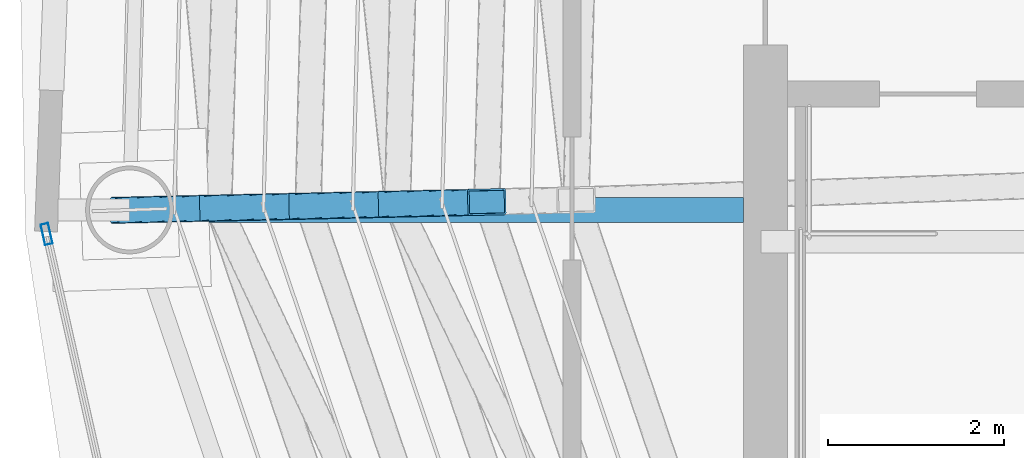
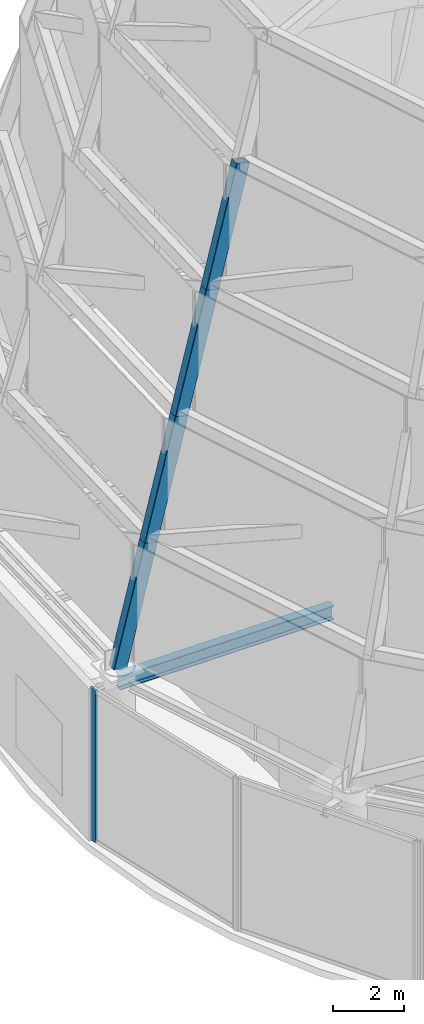
# One storey, part 11 of 40: 5 members, 1 beam, 1 element without a shape of its own.
"""IFC4 building model written with IfcOpenShell, lengths in metres."""

from ifc_helpers import new_model, si_unit, direction, frame, origin, origin_2d, place, context, subcontext, project, spatial, hollow_rectangle, i_section, extrude, material, layer, layer_set, material_profile, profile_set, type_object, element, aggregate, save


model = new_model("IFC4")

# Units and contexts
model_context = context("Model", 3, precision=1e-05, world=origin(), true_north=direction((0.0, 1.0)))
body_context = subcontext(model_context, "Body", "Model", "MODEL_VIEW")
ifc_project = project(units=[si_unit("LENGTHUNIT", "METRE"), si_unit("AREAUNIT", "SQUARE_METRE"), si_unit("VOLUMEUNIT", "CUBIC_METRE"), si_unit("PLANEANGLEUNIT", "RADIAN"), si_unit("MASSUNIT", "GRAM", prefix="KILO")], contexts=[model_context])

# Site, building, storey
site_placement = place(None, origin())
site = spatial("IfcSite", under=ifc_project, at=site_placement, CompositionType="ELEMENT")
building_placement = place(site_placement, origin())
building = spatial("IfcBuilding", under=site, at=building_placement, Name="Bramvorn Convention Spire", CompositionType="ELEMENT")
storey_placement = place(building_placement, frame((0.0, 0.0, 312.5)))
storey = spatial("IfcBuildingStorey", under=building, at=storey_placement, Name="L79", CompositionType="ELEMENT", Elevation=312.5)

# Beam
ifc_material_1 = material(Name="Steel CSA G40.21 Grade 350 (350W)", Category="steel")
ifc_material_profile_1 = material_profile(ifc_material_1, i_section(OverallWidth=0.283935546875, OverallDepth=0.47607421875, WebThickness=0.014892578125, FlangeThickness=0.02392578125, FilletRadius=0.01806640625, at=origin_2d()))
ifc_profile_set_1 = profile_set([ifc_material_profile_1], Name="Steel CSA G40.21 Grade 350 (350W) - W460X158")
beam_type = type_object("IfcBeamType", Name="BM-W460X158", PredefinedType="SPANDREL", material=ifc_profile_set_1)
beam_placement = place(storey_placement, frame((26.75, 25.37060546875, 5.011962890625), z_axis=(-1.0, 0.0, 0.0), x_axis=(0.0, -1.0, 0.0)))
element("IfcBeam", 1, at=beam_placement, inside=storey, type_object=beam_type, Name="L79 radial floor girder MC12", PredefinedType="SPANDREL", context=body_context, shape_type="SweptSolid", body=[
    extrude(i_section(OverallWidth=0.283935546875, OverallDepth=0.47607421875, WebThickness=0.014892578125, FlangeThickness=0.02392578125, FilletRadius=0.01806640625, at=origin_2d()), origin(), (0.0, 0.0, 1.0), 6.984619140625),
])

# Curtain wall, member
ifc_material_2 = material(Name="Anodised Bronze Unitised Curtain Wall", Category="aluminium")
ifc_layer = layer(ifc_material_2, 0.199951171875)
ifc_layer_set = layer_set([ifc_layer], Name="Anodised Bronze Unitised Curtain Wall - CW-CROWN-SPIRE")
curtain_wall_type = type_object("IfcCurtainWallType", Name="CW-CROWN-SPIRE", PredefinedType="USERDEFINED", material=ifc_layer_set)
curtain_wall_placement = place(storey_placement, origin())
curtain_wall = element("IfcCurtainWall", 2, at=curtain_wall_placement, inside=storey, type_object=curtain_wall_type, Name="L79 fritted glass curtain wall 18", ObjectType="UNITISED CURTAIN WALL", PredefinedType="USERDEFINED")
ifc_material_3 = material(Name="Anodised Bronze Aluminium 6063-T6", Category="aluminium")
ifc_material_profile_2 = material_profile(ifc_material_3, hollow_rectangle(XDim=0.090087890625, YDim=0.239990234375, WallThickness=0.00439453125, InnerFilletRadius=0.0009765625, OuterFilletRadius=0.00439453125, at=origin_2d()))
ifc_profile_set_2 = profile_set([ifc_material_profile_2], Name="Anodised Bronze Aluminium 6063-T6 - CWM90X240")
member_type_1 = type_object("IfcMemberType", Name="CW-MUL-220", PredefinedType="MULLION", material=ifc_profile_set_2)
member_placement = place(storey_placement, frame((18.821533203125, 25.096435546875, 0.0), z_axis=(0.0, 0.0, 1.0), x_axis=(-0.975644956553, -0.219355690041, 0.0)))
member = element("IfcMember", 3, at=member_placement, type_object=member_type_1, Name="CW6 mullion 2", PredefinedType="MULLION", context=body_context, shape_type="SweptSolid", body=[
    extrude(hollow_rectangle(XDim=0.090087890625, YDim=0.239990234375, WallThickness=0.00439453125, InnerFilletRadius=0.0009765625, OuterFilletRadius=0.00439453125, at=origin_2d()), origin(), (0.0, 0.0, 1.0), 5.25),
])
aggregate(curtain_wall, [member])

# Members
ifc_material_profile_3 = material_profile(ifc_material_1, hollow_rectangle(XDim=0.300048828125, YDim=0.449951171875, WallThickness=0.02001953125, InnerFilletRadius=0.00390625, OuterFilletRadius=0.02392578125, at=origin_2d()))
ifc_profile_set_3 = profile_set([ifc_material_profile_3], Name="Steel CSA G40.21 Grade 350 (350W) - CROWN450X300X20")
member_type_2 = type_object("IfcMemberType", Name="MBR-CROWN450X300X20", PredefinedType="USERDEFINED", material=ifc_profile_set_3)
for number, where, z_axis, x_axis, name in (
    (4, (19.765380859375, 25.37060546875, 5.5), (0.246260378072, 0.005501372847, 0.969188093761), (-0.022334086566, 0.999750563179, 0.0), "Crown spire CROWN FRAME rib T1-12"),
    (5, (20.78173828125, 25.393310546875, 9.5), (0.246316023751, 0.005442140775, 0.969174287498), (-0.022088749585, 0.999756013806, 0.0), "Crown spire CROWN FRAME rib T2-12"),
    (6, (21.79833984375, 25.415771484375, 13.5), (0.246260378072, 0.005501372847, 0.969188093761), (-0.022334086566, 0.999750563179, 0.0), "Crown spire CROWN FRAME rib T3-12"),
    (7, (22.814697265625, 25.4384765625, 17.5), (0.246315944026, 0.005501292698, 0.969173973803), (-0.022328725627, 0.999750682926, 0.0), "Crown spire CROWN FRAME rib T4-12"),
):
    element("IfcMember", number, at=place(storey_placement, frame(where, z_axis=z_axis, x_axis=x_axis)), inside=storey, type_object=member_type_2, Name=name, ObjectType="CROWN FRAME", PredefinedType="USERDEFINED", context=body_context, shape_type="SweptSolid", body=[
        extrude(hollow_rectangle(XDim=0.300048828125, YDim=0.449951171875, WallThickness=0.02001953125, InnerFilletRadius=0.00390625, OuterFilletRadius=0.02392578125, at=origin_2d()), origin(), (0.0, 0.0, 1.0), 4.127197265625),
    ])

save(model, "model.ifc")
